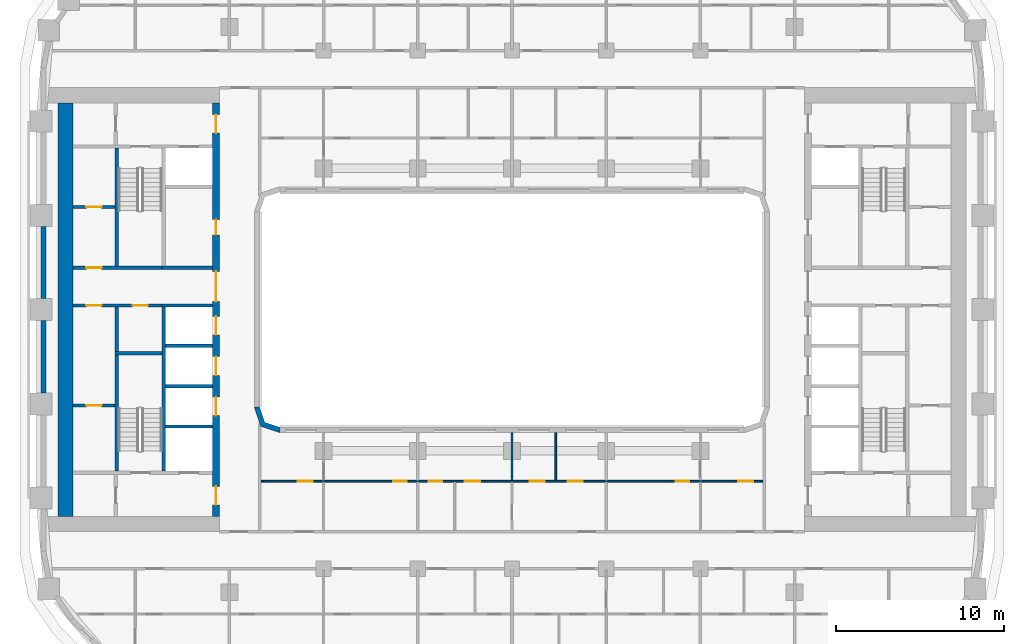
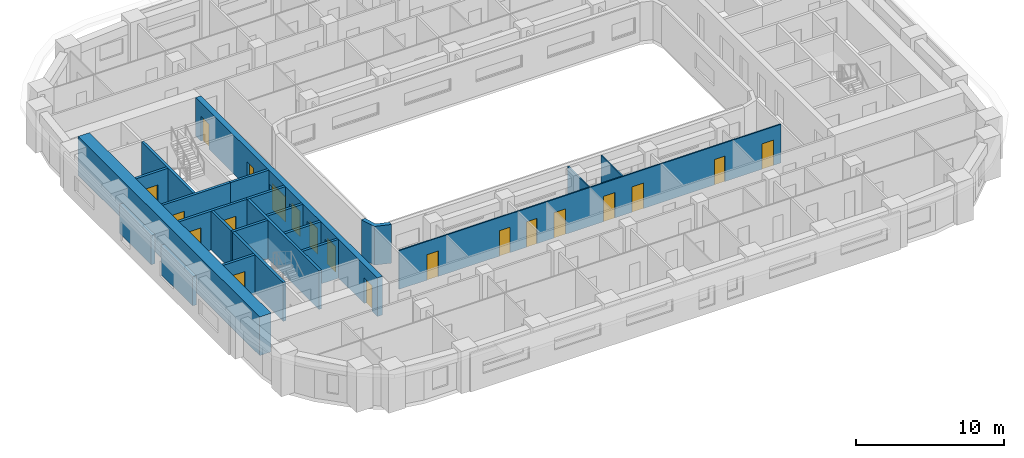
# One storey, part 4 of 21: 22 walls, 20 doors, 20 openings.
"""IFC4 building model written with IfcOpenShell, lengths in metres."""

from ifc_helpers import new_model, si_unit, direction, frame, frame_2d, origin, place, context, subcontext, project, spatial, polyline, rectangle, outline, extrude, material, layer, layer_set, type_object, element, fill, save


model = new_model("IFC4")

# Units and contexts
model_context = context("Model", 3, precision=1e-05, world=origin(), true_north=direction((0.0, 1.0)))
body_context = subcontext(model_context, "Body", "Model", "MODEL_VIEW")
ifc_project = project(units=[si_unit("LENGTHUNIT", "METRE"), si_unit("AREAUNIT", "SQUARE_METRE"), si_unit("VOLUMEUNIT", "CUBIC_METRE"), si_unit("PLANEANGLEUNIT", "RADIAN"), si_unit("MASSUNIT", "GRAM", prefix="KILO")], contexts=[model_context])

# Site, building, storey
site_placement = place(None, origin())
site = spatial("IfcSite", under=ifc_project, at=site_placement, CompositionType="ELEMENT")
building_placement = place(site_placement, origin())
building = spatial("IfcBuilding", under=site, at=building_placement, Name="Kiln Ring Residences", CompositionType="ELEMENT")
storey_placement = place(building_placement, frame((0.0, 0.0, 100.800048828125)))
storey = spatial("IfcBuildingStorey", under=building, at=storey_placement, Name="L25", CompositionType="ELEMENT", Elevation=100.800048828125)

# Wall
ifc_material_1 = material(Name="Gypsum board on steel studs", Category="steel")
ifc_layer_1 = layer(ifc_material_1, 0.199951171875)
ifc_layer_set_1 = layer_set([ifc_layer_1], Name="CORE-PARTITION-200")
wall_type_1 = type_object("IfcWallType", Name="CORE-PARTITION-200", PredefinedType="PARTITIONING", material=ifc_layer_set_1)
wall_1_placement = place(storey_placement, frame((-23.5, -2.5, 0.0), z_axis=(0.0, 0.0, 1.0), x_axis=(0.0, 1.0, 0.0)))
element("IfcWall", 1, at=wall_1_placement, inside=storey, type_object=wall_type_1, Name="Core partition west L25 1", PredefinedType="PARTITIONING", context=body_context, shape_type="SweptSolid", body=[
    extrude(rectangle(XDim=2.64990234375, YDim=0.199951171875, at=frame_2d((1.324951171875, 0.0))), origin(), (0.0, 0.0, 1.0), 3.199951171875),
])

# Wall, openings, doors
wall_2_placement = place(storey_placement, frame((-20.800048828125, 0.25, 0.0), z_axis=(0.0, 0.0, 1.0), x_axis=(-1.0, 0.0, 0.0)))
wall_2 = element("IfcWall", 2, at=wall_2_placement, inside=storey, type_object=wall_type_1, Name="Core partition west L25 2", PredefinedType="PARTITIONING", context=body_context, shape_type="SweptSolid", body=[
    extrude(rectangle(XDim=5.300048828125, YDim=0.199951171875, at=frame_2d((2.64990234375, 0.0))), origin(), (0.0, 0.0, 1.0), 3.199951171875),
])
opening_1_placement = place(wall_2_placement, frame((0.85009765625, 0.0, 0.0)))
opening_1 = element("IfcOpeningElement", 3, at=opening_1_placement, cuts=wall_2, Name="Opening L25-CW14", PredefinedType="OPENING", context=body_context, shape_type="SweptSolid", body=[
    extrude(rectangle(XDim=0.89990234375, YDim=2.10009765625, at=frame_2d((0.449951171875, 1.050048828125))), frame((0.0, 0.10986328125, 0.0), z_axis=(0.0, -1.0, 0.0), x_axis=(1.0, 0.0, 0.0)), (0.0, 0.0, 1.0), 0.219970703125),
])
opening_2_placement = place(wall_2_placement, frame((3.60009765625, 0.0, 0.0)))
opening_2 = element("IfcOpeningElement", 4, at=opening_2_placement, cuts=wall_2, Name="Opening L25-CW16", PredefinedType="OPENING", context=body_context, shape_type="SweptSolid", body=[
    extrude(rectangle(XDim=0.89990234375, YDim=2.10009765625, at=frame_2d((0.449951171875, 1.050048828125))), frame((0.0, 0.10986328125, 0.0), z_axis=(0.0, -1.0, 0.0), x_axis=(1.0, 0.0, 0.0)), (0.0, 0.0, 1.0), 0.219970703125),
])
ifc_material_2 = material(Name="Steel door leaf", Category="steel")
door_type_1 = type_object("IfcDoorType", Name="CORE-DOOR-ROOM", OperationType="SINGLE_SWING_LEFT", PredefinedType="DOOR", material=ifc_material_2)
door_1_placement = place(opening_1_placement, origin())
door_1 = element("IfcDoor", 5, at=door_1_placement, inside=storey, type_object=door_type_1, Name="Housekeeping store L25-CW14", OperationType="SINGLE_SWING_RIGHT", OverallHeight=2.10009765625, OverallWidth=0.89990234375, PredefinedType="DOOR", context=body_context, shape_type="SweptSolid", body=[
    extrude(rectangle(XDim=0.89990234375, YDim=2.10009765625, at=frame_2d((0.449951171875, 1.050048828125))), frame((0.0, 0.02490234375, 0.0), z_axis=(0.0, -1.0, 0.0), x_axis=(1.0, 0.0, 0.0)), (0.0, 0.0, 1.0), 0.050048828125),
])
fill(opening_1, door_1)
door_2_placement = place(opening_2_placement, origin())
door_2 = element("IfcDoor", 6, at=door_2_placement, inside=storey, type_object=door_type_1, Name="Battery room L25-CW16", OperationType="SINGLE_SWING_RIGHT", OverallHeight=2.10009765625, OverallWidth=0.89990234375, PredefinedType="DOOR", context=body_context, shape_type="SweptSolid", body=[
    extrude(rectangle(XDim=0.89990234375, YDim=2.10009765625, at=frame_2d((0.449951171875, 1.050048828125))), frame((0.0, 0.02490234375, 0.0), z_axis=(0.0, -1.0, 0.0), x_axis=(1.0, 0.0, 0.0)), (0.0, 0.0, 1.0), 0.050048828125),
])
fill(opening_2, door_2)

# Wall, opening, door
wall_3_placement = place(storey_placement, frame((-23.60009765625, -5.699951171875, 0.0), z_axis=(0.0, 0.0, 1.0), x_axis=(-1.0, 0.0, 0.0)))
wall_3 = element("IfcWall", 7, at=wall_3_placement, inside=storey, type_object=wall_type_1, Name="Core partition west L25 5", PredefinedType="PARTITIONING", context=body_context, shape_type="SweptSolid", body=[
    extrude(rectangle(XDim=2.5, YDim=0.199951171875, at=frame_2d((1.25, 0.0))), origin(), (0.0, 0.0, 1.0), 3.199951171875),
])
opening_3_placement = place(wall_3_placement, frame((0.800048828125, 0.0, 0.0)))
opening_3 = element("IfcOpeningElement", 8, at=opening_3_placement, cuts=wall_3, Name="Opening L25-CW15", PredefinedType="OPENING", context=body_context, shape_type="SweptSolid", body=[
    extrude(rectangle(XDim=0.89990234375, YDim=2.10009765625, at=frame_2d((0.449951171875, 1.050048828125))), frame((0.0, 0.10986328125, 0.0), z_axis=(0.0, -1.0, 0.0), x_axis=(1.0, 0.0, 0.0)), (0.0, 0.0, 1.0), 0.219970703125),
])
door_3_placement = place(opening_3_placement, origin())
door_3 = element("IfcDoor", 9, at=door_3_placement, inside=storey, type_object=door_type_1, Name="Battery room L25-CW15", OperationType="SINGLE_SWING_RIGHT", OverallHeight=2.10009765625, OverallWidth=0.89990234375, PredefinedType="DOOR", context=body_context, shape_type="SweptSolid", body=[
    extrude(rectangle(XDim=0.89990234375, YDim=2.10009765625, at=frame_2d((0.449951171875, 1.050048828125))), frame((0.0, 0.02490234375, 0.0), z_axis=(0.0, -1.0, 0.0), x_axis=(1.0, 0.0, 0.0)), (0.0, 0.0, 1.0), 0.050048828125),
])
fill(opening_3, door_3)

wall_4_placement = place(storey_placement, frame((-23.60009765625, 6.10009765625, 0.0), z_axis=(0.0, 0.0, 1.0), x_axis=(-1.0, 0.0, 0.0)))
wall_4 = element("IfcWall", 10, at=wall_4_placement, inside=storey, type_object=wall_type_1, Name="Core partition west L25 6", PredefinedType="PARTITIONING", context=body_context, shape_type="SweptSolid", body=[
    extrude(rectangle(XDim=2.5, YDim=0.199951171875, at=frame_2d((1.25, 0.0))), origin(), (0.0, 0.0, 1.0), 3.199951171875),
])
opening_4_placement = place(wall_4_placement, frame((0.800048828125, 0.0, 0.0)))
opening_4 = element("IfcOpeningElement", 11, at=opening_4_placement, cuts=wall_4, Name="Opening L25-CW17", PredefinedType="OPENING", context=body_context, shape_type="SweptSolid", body=[
    extrude(rectangle(XDim=0.89990234375, YDim=2.10009765625, at=frame_2d((0.449951171875, 1.050048828125))), frame((0.0, 0.10986328125, 0.0), z_axis=(0.0, -1.0, 0.0), x_axis=(1.0, 0.0, 0.0)), (0.0, 0.0, 1.0), 0.219970703125),
])
door_4_placement = place(opening_4_placement, origin())
door_4 = element("IfcDoor", 12, at=door_4_placement, inside=storey, type_object=door_type_1, Name="Electrical plant room L25-CW17", OperationType="SINGLE_SWING_RIGHT", OverallHeight=2.10009765625, OverallWidth=0.89990234375, PredefinedType="DOOR", context=body_context, shape_type="SweptSolid", body=[
    extrude(rectangle(XDim=0.89990234375, YDim=2.10009765625, at=frame_2d((0.449951171875, 1.050048828125))), frame((0.0, 0.02490234375, 0.0), z_axis=(0.0, -1.0, 0.0), x_axis=(1.0, 0.0, 0.0)), (0.0, 0.0, 1.0), 0.050048828125),
])
fill(opening_4, door_4)

# Walls
ifc_material_3 = material(Name="Gypsum shaft wall system")
ifc_layer_2 = layer(ifc_material_3, 0.199951171875)
ifc_layer_set_2 = layer_set([ifc_layer_2], Name="CORE-SHAFT-WALL-200")
wall_type_2 = type_object("IfcWallType", Name="CORE-SHAFT-WALL-200", PredefinedType="PARTITIONING", material=ifc_layer_set_2)
for number, where, z_axis, x_axis, name in (
    (13, (-17.800048828125, -6.949951171875, 0.0), (0.0, 0.0, 1.0), (-1.0, 0.0, 0.0), "Core partition west L25 7"),
    (14, (-17.800048828125, -4.550048828125, 0.0), (0.0, 0.0, 1.0), (-1.0, 0.0, 0.0), "Core partition west L25 8"),
    (15, (-17.800048828125, -2.14990234375, 0.0), (0.0, 0.0, 1.0), (-1.0, 0.0, 0.0), "Core partition west L25 9"),
):
    element("IfcWall", number, at=place(storey_placement, frame(where, z_axis=z_axis, x_axis=x_axis)), inside=storey, type_object=wall_type_2, Name=name, PredefinedType="PARTITIONING", context=body_context, shape_type="SweptSolid", body=[
        extrude(rectangle(XDim=2.800048828125, YDim=0.199951171875, at=frame_2d((1.39990234375, 0.0))), origin(), (0.0, 0.0, 1.0), 3.199951171875),
    ])
for number, where, z_axis, x_axis, name in (
    (16, (-17.800048828125, 0.25, 0.0), (0.0, 0.0, 1.0), (-1.0, 0.0, 0.0), "Core partition west L25 10"),
    (17, (-17.800048828125, 2.5, 0.0), (0.0, 0.0, 1.0), (-1.0, 0.0, 0.0), "Core partition west L25 11"),
):
    element("IfcWall", number, at=place(storey_placement, frame(where, z_axis=z_axis, x_axis=x_axis)), inside=storey, type_object=wall_type_2, Name=name, PredefinedType="PARTITIONING", context=body_context, shape_type="SweptSolid", body=[
        extrude(rectangle(XDim=3.0, YDim=0.199951171875, at=frame_2d((1.5, 0.0))), origin(), (0.0, 0.0, 1.0), 3.199951171875),
    ])
ifc_material_4 = material(Name="Concrete C40/50", Category="concrete")
ifc_layer_3 = layer(ifc_material_4, 0.199951171875)
ifc_layer_set_3 = layer_set([ifc_layer_3], Name="CORE-WALL-RC200")
wall_type_3 = type_object("IfcWallType", Name="CORE-WALL-RC200", PredefinedType="SHEAR", material=ifc_layer_set_3)
wall_5_placement = place(storey_placement, frame((-20.699951171875, -9.60009765625, 0.0), z_axis=(0.0, 0.0, 1.0), x_axis=(0.0, 1.0, 0.0)))
element("IfcWall", 18, at=wall_5_placement, inside=storey, type_object=wall_type_3, Name="Core wall west L25 2", PredefinedType="SHEAR", context=body_context, shape_type="SweptSolid", body=[
    extrude(rectangle(XDim=9.75, YDim=0.199951171875, at=frame_2d((4.875, 0.0))), origin(), (0.0, 0.0, 1.0), 3.199951171875),
])

# Wall, opening, door
wall_6_placement = place(storey_placement, frame((-20.800048828125, 2.5, 0.0), z_axis=(0.0, 0.0, 1.0), x_axis=(-1.0, 0.0, 0.0)))
wall_6 = element("IfcWall", 19, at=wall_6_placement, inside=storey, type_object=wall_type_3, Name="Core wall west L25 3", PredefinedType="SHEAR", context=body_context, shape_type="SweptSolid", body=[
    extrude(rectangle(XDim=5.300048828125, YDim=0.199951171875, at=frame_2d((2.64990234375, 0.0))), origin(), (0.0, 0.0, 1.0), 3.199951171875),
])
opening_5_placement = place(wall_6_placement, frame((3.60009765625, 0.0, 0.0)))
opening_5 = element("IfcOpeningElement", 20, at=opening_5_placement, cuts=wall_6, Name="Opening L25-CW18", PredefinedType="OPENING", context=body_context, shape_type="SweptSolid", body=[
    extrude(rectangle(XDim=0.89990234375, YDim=2.10009765625, at=frame_2d((0.449951171875, 1.050048828125))), frame((0.0, 0.10986328125, 0.0), z_axis=(0.0, -1.0, 0.0), x_axis=(1.0, 0.0, 0.0)), (0.0, 0.0, 1.0), 0.219970703125),
])
door_5_placement = place(opening_5_placement, origin())
door_5 = element("IfcDoor", 21, at=door_5_placement, inside=storey, type_object=door_type_1, Name="Comms room L25-CW18", OperationType="SINGLE_SWING_LEFT", OverallHeight=2.10009765625, OverallWidth=0.89990234375, PredefinedType="DOOR", context=body_context, shape_type="SweptSolid", body=[
    extrude(rectangle(XDim=0.89990234375, YDim=2.10009765625, at=frame_2d((0.449951171875, 1.050048828125))), frame((0.0, 0.02490234375, 0.0), z_axis=(0.0, -1.0, 0.0), x_axis=(1.0, 0.0, 0.0)), (0.0, 0.0, 1.0), 0.050048828125),
])
fill(opening_5, door_5)

# Walls
wall_7_placement = place(storey_placement, frame((-23.5, 2.60009765625, 0.0), z_axis=(0.0, 0.0, 1.0), x_axis=(0.0, 1.0, 0.0)))
element("IfcWall", 22, at=wall_7_placement, inside=storey, type_object=wall_type_3, Name="Core wall west L25 10", PredefinedType="SHEAR", context=body_context, shape_type="SweptSolid", body=[
    extrude(rectangle(XDim=7.0, YDim=0.199951171875, at=frame_2d((3.5, 0.0))), origin(), (0.0, 0.0, 1.0), 3.199951171875),
])
wall_8_placement = place(storey_placement, frame((-23.5, -9.60009765625, 0.0), z_axis=(0.0, 0.0, 1.0), x_axis=(0.0, 1.0, 0.0)))
element("IfcWall", 23, at=wall_8_placement, inside=storey, type_object=wall_type_3, Name="Core wall west L25 11", PredefinedType="SHEAR", context=body_context, shape_type="SweptSolid", body=[
    extrude(rectangle(XDim=6.900146484375, YDim=0.199951171875, at=frame_2d((3.4501953125, 0.0))), origin(), (0.0, 0.0, 1.0), 3.199951171875),
])
wall_9_placement = place(storey_placement, frame((-20.800048828125, -2.60009765625, 0.0), z_axis=(0.0, 0.0, 1.0), x_axis=(-1.0, 0.0, 0.0)))
element("IfcWall", 24, at=wall_9_placement, inside=storey, type_object=wall_type_3, Name="Core wall west L25 12", PredefinedType="SHEAR", context=body_context, shape_type="SweptSolid", body=[
    extrude(rectangle(XDim=2.800048828125, YDim=0.199951171875, at=frame_2d((1.39990234375, 0.0))), origin(), (0.0, 0.0, 1.0), 3.199951171875),
])

# Wall, openings, doors
ifc_material_5 = material(Name="Concrete C60/75", Category="concrete")
ifc_layer_4 = layer(ifc_material_5, 0.39990234375)
ifc_layer_set_4 = layer_set([ifc_layer_4], Name="CORE-WALL-RC400")
wall_type_4 = type_object("IfcWallType", Name="CORE-WALL-RC400", PredefinedType="SHEAR", material=ifc_layer_set_4)
wall_10_placement = place(storey_placement, frame((-17.60009765625, -12.300048828125, 0.0), z_axis=(0.0, 0.0, 1.0), x_axis=(0.0, 1.0, 0.0)))
wall_10 = element("IfcWall", 25, at=wall_10_placement, inside=storey, type_object=wall_type_4, Name="Core wall west L25 6", PredefinedType="SHEAR", context=body_context, shape_type="SweptSolid", body=[
    extrude(rectangle(XDim=24.60009765625, YDim=0.39990234375, at=frame_2d((12.300048828125, 0.0))), origin(), (0.0, 0.0, 1.0), 3.199951171875),
])
opening_6_placement = place(wall_10_placement, frame((6.0, 0.0, 0.0)))
opening_6 = element("IfcOpeningElement", 26, at=opening_6_placement, cuts=wall_10, Name="Opening L25-CW02", PredefinedType="OPENING", context=body_context, shape_type="SweptSolid", body=[
    extrude(rectangle(XDim=1.10009765625, YDim=2.10009765625, at=frame_2d((0.550048828125, 1.050048828125))), frame((0.0, 0.2099609375, 0.0), z_axis=(0.0, -1.0, 0.0), x_axis=(1.0, 0.0, 0.0)), (0.0, 0.0, 1.0), 0.419921875),
])
opening_7_placement = place(wall_10_placement, frame((8.39990234375, 0.0, 0.0)))
opening_7 = element("IfcOpeningElement", 27, at=opening_7_placement, cuts=wall_10, Name="Opening L25-CW03", PredefinedType="OPENING", context=body_context, shape_type="SweptSolid", body=[
    extrude(rectangle(XDim=1.10009765625, YDim=2.10009765625, at=frame_2d((0.550048828125, 1.050048828125))), frame((0.0, 0.2099609375, 0.0), z_axis=(0.0, -1.0, 0.0), x_axis=(1.0, 0.0, 0.0)), (0.0, 0.0, 1.0), 0.419921875),
])
opening_8_placement = place(wall_10_placement, frame((10.800048828125, 0.0, 0.0)))
opening_8 = element("IfcOpeningElement", 28, at=opening_8_placement, cuts=wall_10, Name="Opening L25-CW04", PredefinedType="OPENING", context=body_context, shape_type="SweptSolid", body=[
    extrude(rectangle(XDim=1.10009765625, YDim=2.10009765625, at=frame_2d((0.550048828125, 1.050048828125))), frame((0.0, 0.2099609375, 0.0), z_axis=(0.0, -1.0, 0.0), x_axis=(1.0, 0.0, 0.0)), (0.0, 0.0, 1.0), 0.419921875),
])
opening_9_placement = place(wall_10_placement, frame((16.75, 0.0, 0.0)))
opening_9 = element("IfcOpeningElement", 29, at=opening_9_placement, cuts=wall_10, Name="Opening L25-CW05", PredefinedType="OPENING", context=body_context, shape_type="SweptSolid", body=[
    extrude(rectangle(XDim=0.89990234375, YDim=2.10009765625, at=frame_2d((0.449951171875, 1.050048828125))), frame((0.0, 0.2099609375, 0.0), z_axis=(0.0, -1.0, 0.0), x_axis=(1.0, 0.0, 0.0)), (0.0, 0.0, 1.0), 0.419921875),
])
opening_10_placement = place(wall_10_placement, frame((22.800048828125, 0.0, 0.0)))
opening_10 = element("IfcOpeningElement", 30, at=opening_10_placement, cuts=wall_10, Name="Opening L25-CW07", PredefinedType="OPENING", context=body_context, shape_type="SweptSolid", body=[
    extrude(rectangle(XDim=1.10009765625, YDim=2.10009765625, at=frame_2d((0.550048828125, 1.050048828125))), frame((0.0, 0.2099609375, 0.0), z_axis=(0.0, -1.0, 0.0), x_axis=(1.0, 0.0, 0.0)), (0.0, 0.0, 1.0), 0.419921875),
])
opening_11_placement = place(wall_10_placement, frame((0.699951171875, 0.0, 0.0)))
opening_11 = element("IfcOpeningElement", 31, at=opening_11_placement, cuts=wall_10, Name="Opening L25-CW08", PredefinedType="OPENING", context=body_context, shape_type="SweptSolid", body=[
    extrude(rectangle(XDim=1.10009765625, YDim=2.10009765625, at=frame_2d((0.550048828125, 1.050048828125))), frame((0.0, 0.2099609375, 0.0), z_axis=(0.0, -1.0, 0.0), x_axis=(1.0, 0.0, 0.0)), (0.0, 0.0, 1.0), 0.419921875),
])
opening_12_placement = place(wall_10_placement, frame((12.77490234375, 0.0, 0.0)))
opening_12 = element("IfcOpeningElement", 32, at=opening_12_placement, cuts=wall_10, Name="Opening L25-CW13", PredefinedType="OPENING", context=body_context, shape_type="SweptSolid", body=[
    extrude(rectangle(XDim=1.800048828125, YDim=2.10009765625, at=frame_2d((0.89990234375, 1.050048828125))), frame((0.0, 0.2099609375, 0.0), z_axis=(0.0, -1.0, 0.0), x_axis=(1.0, 0.0, 0.0)), (0.0, 0.0, 1.0), 0.419921875),
])
ifc_material_6 = material(Name="Steel door leaf", Category="steel")
door_type_2 = type_object("IfcDoorType", Name="CORE-DOOR-LD", OperationType="DOUBLE_DOOR_SLIDING", PredefinedType="DOOR", material=ifc_material_6)
door_6_placement = place(opening_6_placement, origin())
door_6 = element("IfcDoor", 33, at=door_6_placement, inside=storey, type_object=door_type_2, Name="LD W-L1 L25-CW02", OperationType="DOUBLE_DOOR_SLIDING", OverallHeight=2.10009765625, OverallWidth=1.10009765625, PredefinedType="DOOR", context=body_context, shape_type="SweptSolid", body=[
    extrude(rectangle(XDim=1.10009765625, YDim=2.10009765625, at=frame_2d((0.550048828125, 1.050048828125))), frame((0.0, 0.02490234375, 0.0), z_axis=(0.0, -1.0, 0.0), x_axis=(1.0, 0.0, 0.0)), (0.0, 0.0, 1.0), 0.050048828125),
])
fill(opening_6, door_6)
door_7_placement = place(opening_7_placement, origin())
door_7 = element("IfcDoor", 34, at=door_7_placement, inside=storey, type_object=door_type_2, Name="LD W-L2 L25-CW03", OperationType="DOUBLE_DOOR_SLIDING", OverallHeight=2.10009765625, OverallWidth=1.10009765625, PredefinedType="DOOR", context=body_context, shape_type="SweptSolid", body=[
    extrude(rectangle(XDim=1.10009765625, YDim=2.10009765625, at=frame_2d((0.550048828125, 1.050048828125))), frame((0.0, 0.02490234375, 0.0), z_axis=(0.0, -1.0, 0.0), x_axis=(1.0, 0.0, 0.0)), (0.0, 0.0, 1.0), 0.050048828125),
])
fill(opening_7, door_7)
door_8_placement = place(opening_8_placement, origin())
door_8 = element("IfcDoor", 35, at=door_8_placement, inside=storey, type_object=door_type_2, Name="LD W-L3 L25-CW04", OperationType="DOUBLE_DOOR_SLIDING", OverallHeight=2.10009765625, OverallWidth=1.10009765625, PredefinedType="DOOR", context=body_context, shape_type="SweptSolid", body=[
    extrude(rectangle(XDim=1.10009765625, YDim=2.10009765625, at=frame_2d((0.550048828125, 1.050048828125))), frame((0.0, 0.02490234375, 0.0), z_axis=(0.0, -1.0, 0.0), x_axis=(1.0, 0.0, 0.0)), (0.0, 0.0, 1.0), 0.050048828125),
])
fill(opening_8, door_8)
ifc_material_7 = material(Name="Steel door leaf", Category="steel")
door_type_3 = type_object("IfcDoorType", Name="CORE-DOOR-LOBBY", OperationType="SINGLE_SWING_LEFT", PredefinedType="DOOR", material=ifc_material_7)
door_9_placement = place(opening_10_placement, origin())
door_9 = element("IfcDoor", 36, at=door_9_placement, inside=storey, type_object=door_type_3, Name="FFL L25-CW07", OperationType="SINGLE_SWING_RIGHT", OverallHeight=2.10009765625, OverallWidth=1.10009765625, PredefinedType="DOOR", context=body_context, shape_type="SweptSolid", body=[
    extrude(rectangle(XDim=1.10009765625, YDim=2.10009765625, at=frame_2d((0.550048828125, 1.050048828125))), frame((0.0, 0.02490234375, 0.0), z_axis=(0.0, -1.0, 0.0), x_axis=(1.0, 0.0, 0.0)), (0.0, 0.0, 1.0), 0.050048828125),
])
fill(opening_10, door_9)
door_10_placement = place(opening_11_placement, origin())
door_10 = element("IfcDoor", 37, at=door_10_placement, inside=storey, type_object=door_type_3, Name="SVL L25-CW08", OperationType="SINGLE_SWING_LEFT", OverallHeight=2.10009765625, OverallWidth=1.10009765625, PredefinedType="DOOR", context=body_context, shape_type="SweptSolid", body=[
    extrude(rectangle(XDim=1.10009765625, YDim=2.10009765625, at=frame_2d((0.550048828125, 1.050048828125))), frame((0.0, 0.02490234375, 0.0), z_axis=(0.0, -1.0, 0.0), x_axis=(1.0, 0.0, 0.0)), (0.0, 0.0, 1.0), 0.050048828125),
])
fill(opening_11, door_10)
ifc_material_8 = material(Name="Steel door leaf", Category="steel")
door_type_4 = type_object("IfcDoorType", Name="CORE-DOOR-PASS", OperationType="DOUBLE_DOOR_SINGLE_SWING", PredefinedType="DOOR", material=ifc_material_8)
door_11_placement = place(opening_12_placement, origin())
door_11 = element("IfcDoor", 38, at=door_11_placement, inside=storey, type_object=door_type_4, Name="Core passage L25-CW13", OperationType="DOUBLE_DOOR_SINGLE_SWING", OverallHeight=2.10009765625, OverallWidth=1.800048828125, PredefinedType="DOOR", context=body_context, shape_type="SweptSolid", body=[
    extrude(rectangle(XDim=1.800048828125, YDim=2.10009765625, at=frame_2d((0.89990234375, 1.050048828125))), frame((0.0, 0.02490234375, 0.0), z_axis=(0.0, -1.0, 0.0), x_axis=(1.0, 0.0, 0.0)), (0.0, 0.0, 1.0), 0.050048828125),
])
fill(opening_12, door_11)
door_12_placement = place(opening_9_placement, origin())
door_12 = element("IfcDoor", 39, at=door_12_placement, inside=storey, type_object=door_type_1, Name="Locker store L25-CW05", OperationType="SINGLE_SWING_LEFT", OverallHeight=2.10009765625, OverallWidth=0.89990234375, PredefinedType="DOOR", context=body_context, shape_type="SweptSolid", body=[
    extrude(rectangle(XDim=0.89990234375, YDim=2.10009765625, at=frame_2d((0.449951171875, 1.050048828125))), frame((0.0, 0.02490234375, 0.0), z_axis=(0.0, -1.0, 0.0), x_axis=(1.0, 0.0, 0.0)), (0.0, 0.0, 1.0), 0.050048828125),
])
fill(opening_9, door_12)

# Walls
ifc_material_9 = material(Name="Concrete C60/75", Category="concrete")
ifc_layer_5 = layer(ifc_material_9, 0.89990234375)
ifc_layer_set_5 = layer_set([ifc_layer_5], Name="CORE-WALL-RC900")
wall_type_5 = type_object("IfcWallType", Name="CORE-WALL-RC900", PredefinedType="SHEAR", material=ifc_layer_set_5)
wall_11_placement = place(storey_placement, frame((-26.550048828125, -12.300048828125, 0.0), z_axis=(0.0, 0.0, 1.0), x_axis=(0.0, 1.0, 0.0)))
element("IfcWall", 40, at=wall_11_placement, inside=storey, type_object=wall_type_5, Name="Core wall west L25 7", PredefinedType="SHEAR", context=body_context, shape_type="SweptSolid", body=[
    extrude(rectangle(XDim=24.60009765625, YDim=0.89990234375, at=frame_2d((12.300048828125, 0.0))), origin(), (0.0, 0.0, 1.0), 3.199951171875),
])
ifc_material_10 = material(Name="Brick masonry, dark clay brick", Category="masonry")
ifc_layer_6 = layer(ifc_material_10, 0.300048828125)
ifc_layer_set_6 = layer_set([ifc_layer_6], Name="EW-300 BRICK WALL")
wall_type_6 = type_object("IfcWallType", Name="EW-300 BRICK WALL", PredefinedType="SOLIDWALL", material=ifc_layer_set_6)
for number, where, z_axis, x_axis, name in (
    (41, (-27.85009765625, 4.949951171875, 0.0), (0.0, 0.0, 1.0), (0.0, -1.0, 0.0), "Facade wall L25 43"),
    (42, (-27.85009765625, -0.64990234375, 0.0), (0.0, 0.0, 1.0), (0.0, -1.0, 0.0), "Facade wall L25 44"),
):
    element("IfcWall", number, at=place(storey_placement, frame(where, z_axis=z_axis, x_axis=x_axis)), inside=storey, type_object=wall_type_6, Name=name, PredefinedType="SOLIDWALL", context=body_context, shape_type="SweptSolid", body=[
        extrude(rectangle(XDim=4.300048828125, YDim=0.300048828125, at=frame_2d((2.14990234375, 0.0))), origin(), (0.0, 0.0, 1.0), 2.39990234375),
    ])
wall_12_placement = place(storey_placement, origin())
element("IfcWall", 43, at=wall_12_placement, inside=storey, type_object=wall_type_6, Name="Corner wall L25 4", PredefinedType="SOLIDWALL", context=body_context, shape_type="SweptSolid", body=[
    extrude(outline(polyline([(-14.937255859375, -6.937255859375), (-13.8486328125, -7.300048828125), (-13.800048828125, -7.300048828125), (-13.800048828125, -7.0), (-14.699951171875, -6.699951171875), (-15.0, -5.800048828125), (-15.300048828125, -5.800048828125), (-15.300048828125, -5.8486328125), (-14.937255859375, -6.937255859375)])), origin(), (0.0, 0.0, 1.0), 3.199951171875),
])

# Wall, openings, doors
ifc_material_11 = material(Name="Gypsum board on steel studs", Category="steel")
ifc_layer_7 = layer(ifc_material_11, 0.10009765625)
ifc_layer_set_7 = layer_set([ifc_layer_7], Name="PARTITION-100")
wall_type_7 = type_object("IfcWallType", Name="PARTITION-100", PredefinedType="PARTITIONING", material=ifc_layer_set_7)
wall_13_placement = place(storey_placement, frame((-14.925048828125, -10.199951171875, 0.0), z_axis=(0.0, 0.0, 1.0), x_axis=(1.0, 0.0, 0.0)))
wall_13 = element("IfcWall", 44, at=wall_13_placement, inside=storey, type_object=wall_type_7, Name="Partition 003", PredefinedType="PARTITIONING", context=body_context, shape_type="SweptSolid", body=[
    extrude(rectangle(XDim=29.85009765625, YDim=0.10009765625, at=frame_2d((14.925048828125, 0.0))), origin(), (0.0, 0.0, 1.0), 3.199951171875),
])
opening_13_placement = place(wall_13_placement, frame((7.875, 0.0, 0.0)))
opening_13 = element("IfcOpeningElement", 45, at=opening_13_placement, cuts=wall_13, Name="Opening L25-D044", PredefinedType="OPENING", context=body_context, shape_type="SweptSolid", body=[
    extrude(rectangle(XDim=0.800048828125, YDim=2.10009765625, at=frame_2d((0.39990234375, 1.050048828125))), frame((0.0, 0.06005859375, 0.0), z_axis=(0.0, -1.0, 0.0), x_axis=(1.0, 0.0, 0.0)), (0.0, 0.0, 1.0), 0.1201171875),
])
opening_14_placement = place(wall_13_placement, frame((2.175048828125, 0.0, 0.0)))
opening_14 = element("IfcOpeningElement", 46, at=opening_14_placement, cuts=wall_13, Name="Opening L25-D045", PredefinedType="OPENING", context=body_context, shape_type="SweptSolid", body=[
    extrude(rectangle(XDim=0.89990234375, YDim=2.10009765625, at=frame_2d((0.449951171875, 1.050048828125))), frame((0.0, 0.06005859375, 0.0), z_axis=(0.0, -1.0, 0.0), x_axis=(1.0, 0.0, 0.0)), (0.0, 0.0, 1.0), 0.1201171875),
])
opening_15_placement = place(wall_13_placement, frame((9.97509765625, 0.0, 0.0)))
opening_15 = element("IfcOpeningElement", 47, at=opening_15_placement, cuts=wall_13, Name="Opening L25-D049", PredefinedType="OPENING", context=body_context, shape_type="SweptSolid", body=[
    extrude(rectangle(XDim=0.800048828125, YDim=2.10009765625, at=frame_2d((0.39990234375, 1.050048828125))), frame((0.0, 0.06005859375, 0.0), z_axis=(0.0, -1.0, 0.0), x_axis=(1.0, 0.0, 0.0)), (0.0, 0.0, 1.0), 0.1201171875),
])
opening_16_placement = place(wall_13_placement, frame((12.125, 0.0, 0.0)))
opening_16 = element("IfcOpeningElement", 48, at=opening_16_placement, cuts=wall_13, Name="Opening L25-D050", PredefinedType="OPENING", context=body_context, shape_type="SweptSolid", body=[
    extrude(rectangle(XDim=0.89990234375, YDim=2.10009765625, at=frame_2d((0.449951171875, 1.050048828125))), frame((0.0, 0.06005859375, 0.0), z_axis=(0.0, -1.0, 0.0), x_axis=(1.0, 0.0, 0.0)), (0.0, 0.0, 1.0), 0.1201171875),
])
opening_17_placement = place(wall_13_placement, frame((15.97509765625, 0.0, 0.0)))
opening_17 = element("IfcOpeningElement", 49, at=opening_17_placement, cuts=wall_13, Name="Opening L25-D051", PredefinedType="OPENING", context=body_context, shape_type="SweptSolid", body=[
    extrude(rectangle(XDim=0.89990234375, YDim=2.10009765625, at=frame_2d((0.449951171875, 1.050048828125))), frame((0.0, 0.06005859375, 0.0), z_axis=(0.0, -1.0, 0.0), x_axis=(1.0, 0.0, 0.0)), (0.0, 0.0, 1.0), 0.1201171875),
])
opening_18_placement = place(wall_13_placement, frame((18.22509765625, 0.0, 0.0)))
opening_18 = element("IfcOpeningElement", 50, at=opening_18_placement, cuts=wall_13, Name="Opening L25-D052", PredefinedType="OPENING", context=body_context, shape_type="SweptSolid", body=[
    extrude(rectangle(XDim=0.89990234375, YDim=2.10009765625, at=frame_2d((0.449951171875, 1.050048828125))), frame((0.0, 0.06005859375, 0.0), z_axis=(0.0, -1.0, 0.0), x_axis=(1.0, 0.0, 0.0)), (0.0, 0.0, 1.0), 0.1201171875),
])
opening_19_placement = place(wall_13_placement, frame((24.675048828125, 0.0, 0.0)))
opening_19 = element("IfcOpeningElement", 51, at=opening_19_placement, cuts=wall_13, Name="Opening L25-D054", PredefinedType="OPENING", context=body_context, shape_type="SweptSolid", body=[
    extrude(rectangle(XDim=0.800048828125, YDim=2.10009765625, at=frame_2d((0.39990234375, 1.050048828125))), frame((0.0, 0.06005859375, 0.0), z_axis=(0.0, -1.0, 0.0), x_axis=(1.0, 0.0, 0.0)), (0.0, 0.0, 1.0), 0.1201171875),
])
opening_20_placement = place(wall_13_placement, frame((28.375, 0.0, 0.0)))
opening_20 = element("IfcOpeningElement", 52, at=opening_20_placement, cuts=wall_13, Name="Opening L25-D055", PredefinedType="OPENING", context=body_context, shape_type="SweptSolid", body=[
    extrude(rectangle(XDim=0.89990234375, YDim=2.10009765625, at=frame_2d((0.449951171875, 1.050048828125))), frame((0.0, 0.06005859375, 0.0), z_axis=(0.0, -1.0, 0.0), x_axis=(1.0, 0.0, 0.0)), (0.0, 0.0, 1.0), 0.1201171875),
])
ifc_material_12 = material(Name="Timber door leaf", Category="wood")
door_type_5 = type_object("IfcDoorType", Name="FLAT-DOOR-800-PL", OperationType="SINGLE_SWING_LEFT", PredefinedType="DOOR", material=ifc_material_12)
door_13_placement = place(opening_13_placement, origin())
door_13 = element("IfcDoor", 53, at=door_13_placement, inside=storey, type_object=door_type_5, Name="Door L25-D044", OperationType="SINGLE_SWING_RIGHT", OverallHeight=2.10009765625, OverallWidth=0.800048828125, PredefinedType="DOOR", context=body_context, shape_type="SweptSolid", body=[
    extrude(rectangle(XDim=0.800048828125, YDim=2.10009765625, at=frame_2d((0.39990234375, 1.050048828125))), frame((0.0, 0.02490234375, 0.0), z_axis=(0.0, -1.0, 0.0), x_axis=(1.0, 0.0, 0.0)), (0.0, 0.0, 1.0), 0.050048828125),
])
fill(opening_13, door_13)
door_14_placement = place(opening_15_placement, origin())
door_14 = element("IfcDoor", 54, at=door_14_placement, inside=storey, type_object=door_type_5, Name="Door L25-D049", OperationType="SINGLE_SWING_LEFT", OverallHeight=2.10009765625, OverallWidth=0.800048828125, PredefinedType="DOOR", context=body_context, shape_type="SweptSolid", body=[
    extrude(rectangle(XDim=0.800048828125, YDim=2.10009765625, at=frame_2d((0.39990234375, 1.050048828125))), frame((0.0, 0.02490234375, 0.0), z_axis=(0.0, -1.0, 0.0), x_axis=(1.0, 0.0, 0.0)), (0.0, 0.0, 1.0), 0.050048828125),
])
fill(opening_15, door_14)
door_15_placement = place(opening_19_placement, origin())
door_15 = element("IfcDoor", 55, at=door_15_placement, inside=storey, type_object=door_type_5, Name="Door L25-D054", OperationType="SINGLE_SWING_RIGHT", OverallHeight=2.10009765625, OverallWidth=0.800048828125, PredefinedType="DOOR", context=body_context, shape_type="SweptSolid", body=[
    extrude(rectangle(XDim=0.800048828125, YDim=2.10009765625, at=frame_2d((0.39990234375, 1.050048828125))), frame((0.0, 0.02490234375, 0.0), z_axis=(0.0, -1.0, 0.0), x_axis=(1.0, 0.0, 0.0)), (0.0, 0.0, 1.0), 0.050048828125),
])
fill(opening_19, door_15)
ifc_material_13 = material(Name="Timber door leaf", Category="wood")
door_type_6 = type_object("IfcDoorType", Name="FLAT-DOOR-900-PL", OperationType="SINGLE_SWING_LEFT", PredefinedType="DOOR", material=ifc_material_13)
door_16_placement = place(opening_14_placement, origin())
door_16 = element("IfcDoor", 56, at=door_16_placement, inside=storey, type_object=door_type_6, Name="Door L25-D045", OperationType="SINGLE_SWING_LEFT", OverallHeight=2.10009765625, OverallWidth=0.89990234375, PredefinedType="DOOR", context=body_context, shape_type="SweptSolid", body=[
    extrude(rectangle(XDim=0.89990234375, YDim=2.10009765625, at=frame_2d((0.449951171875, 1.050048828125))), frame((0.0, 0.02490234375, 0.0), z_axis=(0.0, -1.0, 0.0), x_axis=(1.0, 0.0, 0.0)), (0.0, 0.0, 1.0), 0.050048828125),
])
fill(opening_14, door_16)
door_17_placement = place(opening_16_placement, origin())
door_17 = element("IfcDoor", 57, at=door_17_placement, inside=storey, type_object=door_type_6, Name="Door L25-D050", OperationType="SINGLE_SWING_RIGHT", OverallHeight=2.10009765625, OverallWidth=0.89990234375, PredefinedType="DOOR", context=body_context, shape_type="SweptSolid", body=[
    extrude(rectangle(XDim=0.89990234375, YDim=2.10009765625, at=frame_2d((0.449951171875, 1.050048828125))), frame((0.0, 0.02490234375, 0.0), z_axis=(0.0, -1.0, 0.0), x_axis=(1.0, 0.0, 0.0)), (0.0, 0.0, 1.0), 0.050048828125),
])
fill(opening_16, door_17)
door_18_placement = place(opening_17_placement, origin())
door_18 = element("IfcDoor", 58, at=door_18_placement, inside=storey, type_object=door_type_6, Name="Door L25-D051", OperationType="SINGLE_SWING_LEFT", OverallHeight=2.10009765625, OverallWidth=0.89990234375, PredefinedType="DOOR", context=body_context, shape_type="SweptSolid", body=[
    extrude(rectangle(XDim=0.89990234375, YDim=2.10009765625, at=frame_2d((0.449951171875, 1.050048828125))), frame((0.0, 0.02490234375, 0.0), z_axis=(0.0, -1.0, 0.0), x_axis=(1.0, 0.0, 0.0)), (0.0, 0.0, 1.0), 0.050048828125),
])
fill(opening_17, door_18)
door_19_placement = place(opening_18_placement, origin())
door_19 = element("IfcDoor", 59, at=door_19_placement, inside=storey, type_object=door_type_6, Name="Door L25-D052", OperationType="SINGLE_SWING_RIGHT", OverallHeight=2.10009765625, OverallWidth=0.89990234375, PredefinedType="DOOR", context=body_context, shape_type="SweptSolid", body=[
    extrude(rectangle(XDim=0.89990234375, YDim=2.10009765625, at=frame_2d((0.449951171875, 1.050048828125))), frame((0.0, 0.02490234375, 0.0), z_axis=(0.0, -1.0, 0.0), x_axis=(1.0, 0.0, 0.0)), (0.0, 0.0, 1.0), 0.050048828125),
])
fill(opening_18, door_19)
door_20_placement = place(opening_20_placement, origin())
door_20 = element("IfcDoor", 60, at=door_20_placement, inside=storey, type_object=door_type_6, Name="Door L25-D055", OperationType="SINGLE_SWING_LEFT", OverallHeight=2.10009765625, OverallWidth=0.89990234375, PredefinedType="DOOR", context=body_context, shape_type="SweptSolid", body=[
    extrude(rectangle(XDim=0.89990234375, YDim=2.10009765625, at=frame_2d((0.449951171875, 1.050048828125))), frame((0.0, 0.02490234375, 0.0), z_axis=(0.0, -1.0, 0.0), x_axis=(1.0, 0.0, 0.0)), (0.0, 0.0, 1.0), 0.050048828125),
])
fill(opening_20, door_20)

# Walls
for number, where, z_axis, x_axis, name in (
    (61, (0.0, -10.14990234375, 0.0), (0.0, 0.0, 1.0), (0.0, 1.0, 0.0), "Partition 041"),
    (62, (2.60009765625, -10.14990234375, 0.0), (0.0, 0.0, 1.0), (0.0, 1.0, 0.0), "Partition 048"),
):
    element("IfcWall", number, at=place(storey_placement, frame(where, z_axis=z_axis, x_axis=x_axis)), inside=storey, type_object=wall_type_7, Name=name, PredefinedType="PARTITIONING", context=body_context, shape_type="SweptSolid", body=[
        extrude(rectangle(XDim=2.829833984375, YDim=0.10009765625, at=frame_2d((1.4150390625, 0.0))), origin(), (0.0, 0.0, 1.0), 3.199951171875),
    ])

save(model, "model.ifc")
